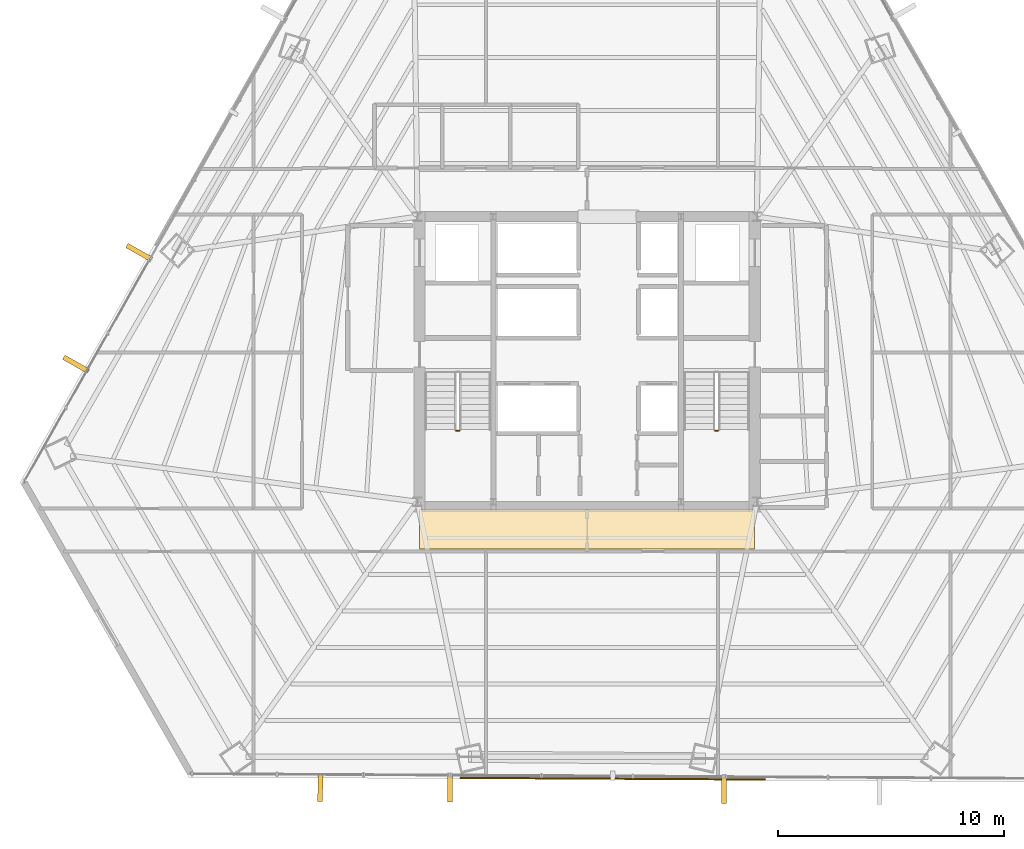
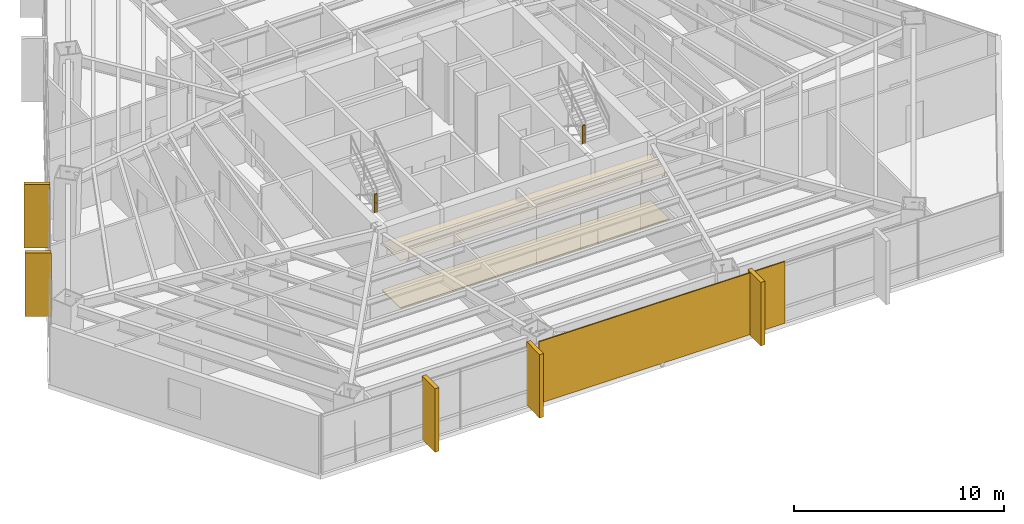
# One storey, part 33 of 35: 7 coverings, 2 railings, 1 shading device.
"""IFC4 building model written with IfcOpenShell, lengths in metres."""

from ifc_helpers import new_model, si_unit, direction, frame, origin, origin_2d, place, context, subcontext, project, spatial, polyline, rectangle, outline, extrude, source, transform, mapped, material, layer, layer_set, type_object, type_shapes, element, save


model = new_model("IFC4")

# Units and contexts
model_context = context("Model", 3, precision=1e-05, world=origin(), true_north=direction((0.0, 1.0)))
body_context = subcontext(model_context, "Body", "Model", "MODEL_VIEW")
ifc_project = project(units=[si_unit("LENGTHUNIT", "METRE"), si_unit("AREAUNIT", "SQUARE_METRE"), si_unit("VOLUMEUNIT", "CUBIC_METRE"), si_unit("PLANEANGLEUNIT", "RADIAN"), si_unit("MASSUNIT", "GRAM", prefix="KILO")], contexts=[model_context])

# Site, building, storey
site_placement = place(None, origin())
site = spatial("IfcSite", under=ifc_project, at=site_placement, CompositionType="ELEMENT")
building_placement = place(site_placement, origin())
building = spatial("IfcBuilding", under=site, at=building_placement, Name="Caelisora Broadcast Tower", CompositionType="ELEMENT")
storey_placement = place(building_placement, frame((0.0, 0.0, 90.800048828125)))
storey = spatial("IfcBuildingStorey", under=building, at=storey_placement, Name="L23", CompositionType="ELEMENT", Elevation=90.800048828125)

# Coverings
ifc_material_1 = material(Name="Perforated Mineral-Fibre Acoustic Ceiling Tile", Category="gypsum")
ifc_layer_1 = layer(ifc_material_1, 0.034912109375, Name="Perforated Mineral-Fibre Acoustic Ceiling Tile")
ifc_layer_set_1 = layer_set([ifc_layer_1], Name="Perforated Mineral-Fibre Acoustic Ceiling Tile")
covering_type_1 = type_object("IfcCoveringType", Name="CE-1", PredefinedType="CEILING", material=ifc_layer_set_1)
covering_1_placement = place(storey_placement, frame((0.0, 0.0, 2.75)))
element("IfcCovering", 1, at=covering_1_placement, inside=storey, type_object=covering_type_1, Name="L23 acoustic corridor ceiling CE-1 (S)", PredefinedType="CEILING", context=body_context, shape_type="SweptSolid", body=[
    extrude(outline(polyline([(30.60009765625, 15.300048828125), (45.39990234375, 15.300048828125), (45.39990234375, 17.050048828125), (30.60009765625, 17.050048828125), (30.60009765625, 15.300048828125)])), origin(), (0.0, 0.0, 1.0), 0.034912109375),
])
ifc_material_2 = material(Name="Anti-Static Broadcast Raised Access Floor Panel", Category="steel")
ifc_layer_2 = layer(ifc_material_2, 0.044921875, Name="Anti-Static Broadcast Raised Access Floor Panel")
ifc_layer_set_2 = layer_set([ifc_layer_2], Name="Anti-Static Broadcast Raised Access Floor Panel")
covering_type_2 = type_object("IfcCoveringType", Name="FL-1", PredefinedType="FLOORING", material=ifc_layer_set_2)
covering_2_placement = place(storey_placement, origin())
element("IfcCovering", 2, at=covering_2_placement, inside=storey, type_object=covering_type_2, Name="L23 broadcast raised access floor FL-1 (S)", PredefinedType="FLOORING", context=body_context, shape_type="SweptSolid", body=[
    extrude(outline(polyline([(30.60009765625, 15.300048828125), (45.39990234375, 15.300048828125), (45.39990234375, 17.050048828125), (30.60009765625, 17.050048828125), (30.60009765625, 15.300048828125)])), origin(), (0.0, 0.0, 1.0), 0.044921875),
])

# Railings
ifc_material_3 = material(Name="Galvanised Steel Safety Guardrail", Category="steel")
ifc_layer_3 = layer(ifc_material_3, 0.048095703125, Name="Galvanised Steel Safety Guardrail")
ifc_layer_set_3 = layer_set([ifc_layer_3], Name="Galvanised Steel Safety Guardrail")
railing_type = type_object("IfcRailingType", Name="GR-1", PredefinedType="GUARDRAIL", material=ifc_layer_set_3)
for number, where, name in (
    (3, (32.219970703125, 20.530029296875, 1.824951171875), "L23 ST-1 stair guard 2"),
    (4, (43.659912109375, 20.530029296875, 1.824951171875), "L23 ST-2 stair guard 2"),
):
    element("IfcRailing", number, at=place(storey_placement, frame(where)), inside=storey, type_object=railing_type, Name=name, PredefinedType="GUARDRAIL", context=body_context, shape_type="SweptSolid", body=[
        extrude(rectangle(XDim=0.048095703125, YDim=0.048095703125, at=origin_2d()), frame((0.0, 0.0, 1.076171875), z_axis=(1.0, 0.0, 0.0), x_axis=(0.0, 1.0, 0.0)), (0.0, 0.0, 1.0), 0.1201171875),
        extrude(rectangle(XDim=0.03125, YDim=0.03125, at=origin_2d()), frame((0.0, 0.0, 0.550048828125), z_axis=(1.0, 0.0, 0.0), x_axis=(0.0, 1.0, 0.0)), (0.0, 0.0, 1.0), 0.1201171875),
        extrude(rectangle(XDim=0.0419921875, YDim=0.0419921875, at=origin_2d()), origin(), (0.0, 0.0, 1.0), 1.052001953125),
        extrude(rectangle(XDim=0.0419921875, YDim=0.0419921875, at=origin_2d()), frame((0.1201171875, 0.0, 0.0)), (0.0, 0.0, 1.0), 1.052001953125),
    ])

# Coverings
ifc_material_4 = material(Name="Kiln-Fired Terracotta Spandrel Rainscreen Cladding", Category="ceramic")
ifc_layer_4 = layer(ifc_material_4, 0.044921875, Name="Kiln-Fired Terracotta Spandrel Rainscreen Cladding")
ifc_layer_set_4 = layer_set([ifc_layer_4], Name="Kiln-Fired Terracotta Spandrel Rainscreen Cladding")
covering_type_3 = type_object("IfcCoveringType", Name="CL-1", PredefinedType="CLADDING", material=ifc_layer_set_4)
shared_shape_1 = source(origin(), body_context, "Body", "SweptSolid", [
    extrude(rectangle(XDim=0.219970703125, YDim=1.25, at=origin_2d()), origin(), (0.0, 0.0, 1.0), 3.68994140625),
])
type_shapes(covering_type_3, [shared_shape_1])
for number, where, z_axis, x_axis, name in (
    (5, (44.0537109375, 4.68017578125, -0.02001953125), (0.0, 0.0, 1.0), (-0.999984403629, 0.005585024571, 0.0), "L23 vertical solar fin cladding #2-2"),
    (6, (31.931396484375, 4.747314453125, -0.02001953125), (0.0, 0.0, 1.0), (-0.999984403629, 0.005585024571, 0.0), "L23 vertical solar fin cladding #2-3"),
    (7, (26.2041015625, 4.779296875, -0.02001953125), (0.0, 0.0, 1.0), (-0.999984403629, 0.005585024571, 0.0), "L23 vertical solar fin cladding #2-4"),
    (8, (15.40869140625, 23.47705078125, -0.02001953125), (0.0, 0.0, 1.0), (0.49181581725, 0.870699260309, 0.0), "L23 vertical solar fin cladding #3-1"),
    (9, (18.198974609375, 28.417724609375, -0.02001953125), (0.0, 0.0, 1.0), (0.49181581725, 0.870699260309, 0.0), "L23 vertical solar fin cladding #3-2"),
):
    element("IfcCovering", number, at=place(storey_placement, frame(where, z_axis=z_axis, x_axis=x_axis)), inside=storey, type_object=covering_type_3, Name=name, PredefinedType="CLADDING", context=body_context, shape_type="MappedRepresentation", body=[
        mapped(shared_shape_1, transform((0.0, 0.0, 0.0), scale=1.0)),
    ])

# Shading device
ifc_material_5 = material(Name="Perforated Glazed Terracotta Baguette Solar Screen", Category="ceramic")
ifc_layer_5 = layer(ifc_material_5, 0.06494140625, Name="Perforated Glazed Terracotta Baguette Solar Screen")
ifc_layer_set_5 = layer_set([ifc_layer_5], Name="Perforated Glazed Terracotta Baguette Solar Screen")
shading_device_type = type_object("IfcShadingDeviceType", Name="SS-1", PredefinedType="USERDEFINED", material=ifc_layer_set_5)
shared_shape_2 = source(origin(), body_context, "Body", "SweptSolid", [
    extrude(rectangle(XDim=13.489990234375, YDim=0.06494140625, at=origin_2d()), origin(), (0.0, 0.0, 1.0), 3.590087890625),
])
type_shapes(shading_device_type, [shared_shape_2])
shading_device_placement = place(storey_placement, frame((39.129150390625, 5.157470703125, 0.0), z_axis=(0.0, 0.0, 1.0), x_axis=(0.999984403629, -0.005585024571, 0.0)))
element("IfcShadingDevice", 10, at=shading_device_placement, inside=storey, type_object=shading_device_type, Name="L23 perforated terracotta solar screen #2", ObjectType="SOLAR SCREEN", PredefinedType="USERDEFINED", context=body_context, shape_type="MappedRepresentation", body=[
    mapped(shared_shape_2, transform((0.0, 0.0, 0.0), scale=1.0)),
])

save(model, "model.ifc")
